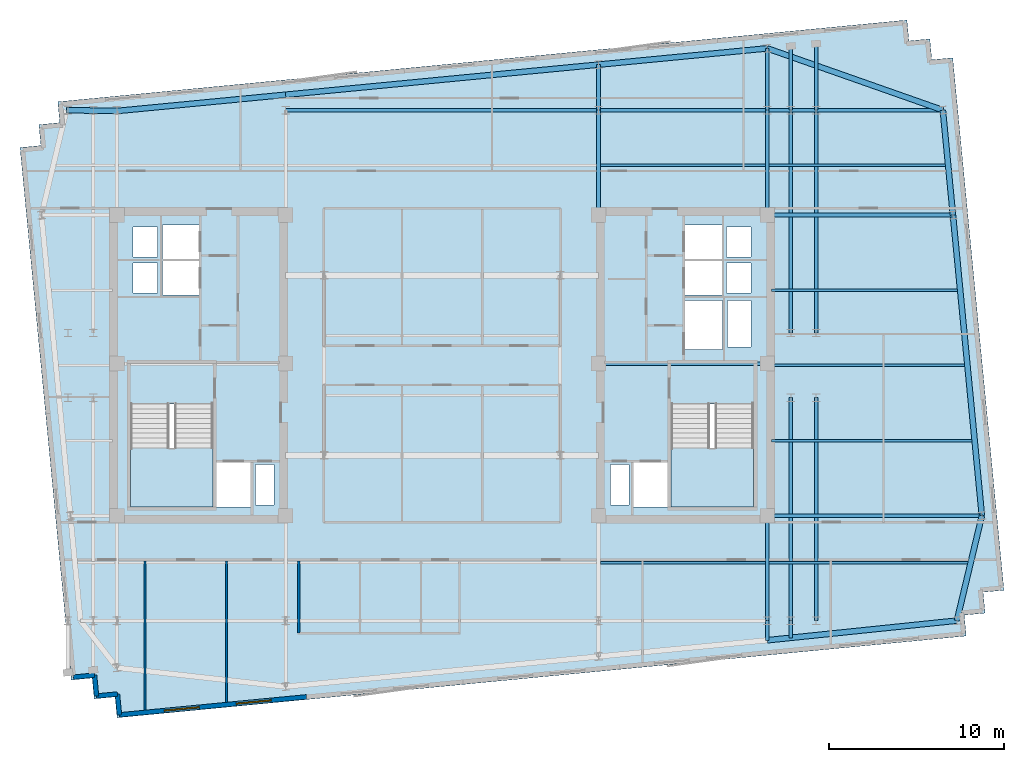
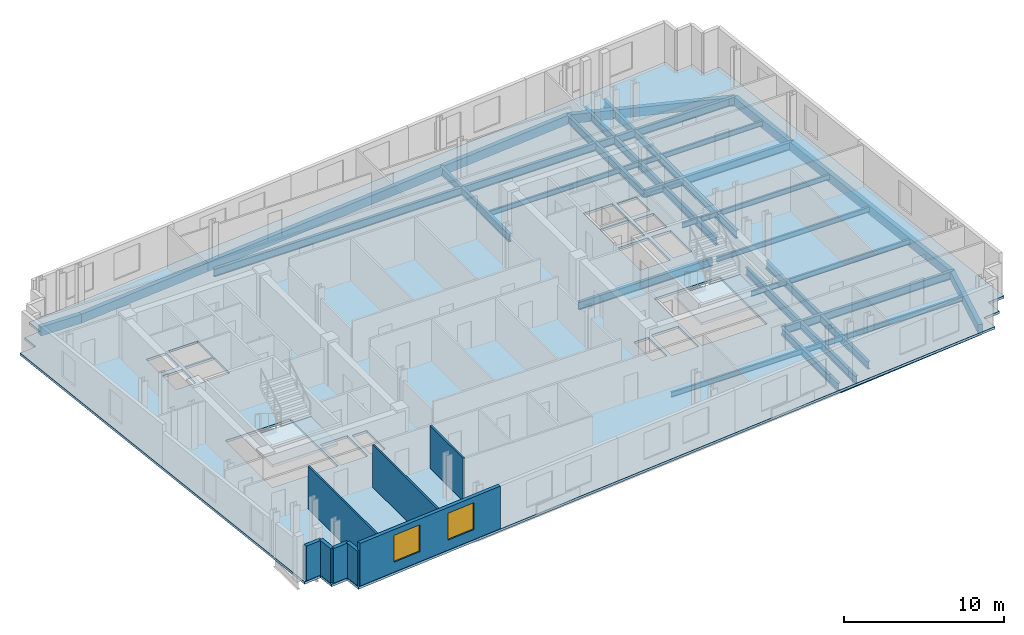
# One storey, part 2 of 9: 35 beams, 8 walls, 3 slabs, 2 windows, 2 openings, 2 elements without a shape of their own.
"""IFC4 building model written with IfcOpenShell, lengths in metres."""

from ifc_helpers import new_model, si_unit, direction, frame, frame_2d, origin, origin_2d, place, context, subcontext, project, spatial, polyline, rectangle, i_section, outline, extrude, material, layer, layer_set, material_profile, profile_set, type_object, element, fill, aggregate, save


model = new_model("IFC4")

# Units and contexts
model_context = context("Model", 3, precision=1e-05, world=origin(), true_north=direction((0.0, 1.0)))
body_context = subcontext(model_context, "Body", "Model", "MODEL_VIEW")
ifc_project = project(units=[si_unit("LENGTHUNIT", "METRE"), si_unit("AREAUNIT", "SQUARE_METRE"), si_unit("VOLUMEUNIT", "CUBIC_METRE"), si_unit("PLANEANGLEUNIT", "RADIAN"), si_unit("MASSUNIT", "GRAM", prefix="KILO")], contexts=[model_context])

# Site, building, storey
site_placement = place(None, origin())
site = spatial("IfcSite", under=ifc_project, at=site_placement, CompositionType="ELEMENT")
building_placement = place(site_placement, origin())
building = spatial("IfcBuilding", under=site, at=building_placement, Name="Velakula Bourse", CompositionType="ELEMENT")
storey_placement = place(building_placement, frame((0.0, 0.0, 272.39990234375)))
storey = spatial("IfcBuildingStorey", under=building, at=storey_placement, Name="L74", CompositionType="ELEMENT", Elevation=272.39990234375)

# Beams
ifc_material_1 = material(Name="Steel IS 2062 Grade 350 (E350)", Category="steel")
ifc_material_profile_1 = material_profile(ifc_material_1, i_section(OverallWidth=0.2099609375, OverallDepth=0.60009765625, WebThickness=0.011962890625, FlangeThickness=0.020751953125, at=origin_2d()), Name="Steel IS 2062 Grade 350 (E350)")
ifc_profile_set_1 = profile_set([ifc_material_profile_1], Name="Steel IS 2062 Grade 350 (E350)")
beam_type_1 = type_object("IfcBeamType", Name="BM-GRD-600L", PredefinedType="BEAM", material=ifc_profile_set_1)
beam_1_placement = place(storey_placement, frame((8.949951171875, 0.10009765625, -0.47998046875), z_axis=(1.0, 0.0, 0.0), x_axis=(0.0, 1.0, 0.0)))
element("IfcBeam", 1, at=beam_1_placement, inside=storey, type_object=beam_type_1, Name="L74 Primary Backbone Girder CRE-M", PredefinedType="BEAM", context=body_context, shape_type="SweptSolid", body=[
    extrude(i_section(OverallWidth=0.2099609375, OverallDepth=0.60009765625, WebThickness=0.011962890625, FlangeThickness=0.020751953125, at=origin_2d()), origin(), (0.0, 0.0, 1.0), 9.650146484375),
])
for number, where, z_axis, x_axis, name in (
    (2, (8.949951171875, 8.60009765625, -0.47998046875), (0.0, 1.0, 0.0), (-1.0, 0.0, 0.0), "L74 Fulcrum Grid Girder FLC-ECN"),
    (3, (18.60009765625, -14.60009765625, -0.47998046875), (0.0, 1.0, 0.0), (-1.0, 0.0, 0.0), "L74 Fulcrum Grid Girder FLC-ES"),
    (4, (18.60009765625, 8.60009765625, -0.47998046875), (0.0, 1.0, 0.0), (-1.0, 0.0, 0.0), "L74 Fulcrum Grid Girder FLC-EN"),
):
    element("IfcBeam", number, at=place(storey_placement, frame(where, z_axis=z_axis, x_axis=x_axis)), inside=storey, type_object=beam_type_1, Name=name, PredefinedType="BEAM", context=body_context, shape_type="SweptSolid", body=[
        extrude(i_section(OverallWidth=0.2099609375, OverallDepth=0.60009765625, WebThickness=0.011962890625, FlangeThickness=0.020751953125, at=origin_2d()), origin(), (0.0, 0.0, 1.0), 6.0),
    ])
beam_2_placement = place(storey_placement, frame((-8.949951171875, 14.60009765625, -0.47998046875), z_axis=(1.0, 0.0, 0.0), x_axis=(0.0, 1.0, 0.0)))
element("IfcBeam", 5, at=beam_2_placement, inside=storey, type_object=beam_type_1, Name="L74 Fulcrum Grid Girder FLC-N2", PredefinedType="BEAM", context=body_context, shape_type="SweptSolid", body=[
    extrude(i_section(OverallWidth=0.2099609375, OverallDepth=0.60009765625, WebThickness=0.011962890625, FlangeThickness=0.020751953125, at=origin_2d()), origin(), (0.0, 0.0, 1.0), 17.89990234375),
])
beam_3_placement = place(storey_placement, frame((8.949951171875, 14.60009765625, -0.47998046875), z_axis=(1.0, 0.0, 0.0), x_axis=(0.0, 1.0, 0.0)))
element("IfcBeam", 6, at=beam_3_placement, inside=storey, type_object=beam_type_1, Name="L74 Fulcrum Grid Girder FLC-N3", PredefinedType="BEAM", context=body_context, shape_type="SweptSolid", body=[
    extrude(i_section(OverallWidth=0.2099609375, OverallDepth=0.60009765625, WebThickness=0.011962890625, FlangeThickness=0.020751953125, at=origin_2d()), origin(), (0.0, 0.0, 1.0), 9.650146484375),
])
for number, where, z_axis, x_axis, name in (
    (7, (19.949951171875, -14.60009765625, -0.47998046875), (0.0, 1.0, 0.0), (-1.0, 0.0, 0.0), "L74 Fulcrum Grid Girder FLC-PSE1"),
    (8, (19.949951171875, 1.85009765625, -0.47998046875), (0.0, 1.0, 0.0), (-1.0, 0.0, 0.0), "L74 Fulcrum Grid Girder FLC-PNE1"),
    (9, (21.39990234375, -14.60009765625, -0.47998046875), (0.0, 1.0, 0.0), (-1.0, 0.0, 0.0), "L74 Fulcrum Grid Girder FLC-PSE2"),
    (10, (21.39990234375, 1.85009765625, -0.47998046875), (0.0, 1.0, 0.0), (-1.0, 0.0, 0.0), "L74 Fulcrum Grid Girder FLC-PNE2"),
):
    element("IfcBeam", number, at=place(storey_placement, frame(where, z_axis=z_axis, x_axis=x_axis)), inside=storey, type_object=beam_type_1, Name=name, PredefinedType="BEAM", context=body_context, shape_type="SweptSolid", body=[
        extrude(i_section(OverallWidth=0.2099609375, OverallDepth=0.60009765625, WebThickness=0.011962890625, FlangeThickness=0.020751953125, at=origin_2d()), origin(), (0.0, 0.0, 1.0), 12.75),
    ])
beam_4_placement = place(storey_placement, frame((18.60009765625, -14.60009765625, -0.47998046875), z_axis=(0.0, -1.0, 0.0), x_axis=(1.0, 0.0, 0.0)))
element("IfcBeam", 11, at=beam_4_placement, inside=storey, type_object=beam_type_1, Name="L74 Perimeter Tie Girder S4", PredefinedType="BEAM", context=body_context, shape_type="SweptSolid", body=[
    extrude(i_section(OverallWidth=0.2099609375, OverallDepth=0.60009765625, WebThickness=0.011962890625, FlangeThickness=0.020751953125, at=origin_2d()), origin(), (0.0, 0.0, 1.0), 1.1220703125),
])
beam_5_placement = place(storey_placement, frame((8.949951171875, 14.60009765625, -0.47998046875), z_axis=(0.0, 1.0, 0.0), x_axis=(-1.0, 0.0, 0.0)))
element("IfcBeam", 12, at=beam_5_placement, inside=storey, type_object=beam_type_1, Name="L74 Perimeter Tie Girder N3", PredefinedType="BEAM", context=body_context, shape_type="SweptSolid", body=[
    extrude(i_section(OverallWidth=0.2099609375, OverallDepth=0.60009765625, WebThickness=0.011962890625, FlangeThickness=0.020751953125, at=origin_2d()), origin(), (0.0, 0.0, 1.0), 2.6044921875),
])
beam_6_placement = place(storey_placement, frame((18.60009765625, 14.60009765625, -0.47998046875), z_axis=(0.0, 1.0, 0.0), x_axis=(-1.0, 0.0, 0.0)))
element("IfcBeam", 13, at=beam_6_placement, inside=storey, type_object=beam_type_1, Name="L74 Perimeter Tie Girder N4", PredefinedType="BEAM", context=body_context, shape_type="SweptSolid", body=[
    extrude(i_section(OverallWidth=0.2099609375, OverallDepth=0.60009765625, WebThickness=0.011962890625, FlangeThickness=0.020751953125, at=origin_2d()), origin(), (0.0, 0.0, 1.0), 3.53369140625),
])
beam_7_placement = place(storey_placement, frame((18.60009765625, -8.60009765625, -0.47998046875), z_axis=(1.0, 0.0, 0.0), x_axis=(0.0, 1.0, 0.0)))
element("IfcBeam", 14, at=beam_7_placement, inside=storey, type_object=beam_type_1, Name="L74 Perimeter Tie Girder E2", PredefinedType="BEAM", context=body_context, shape_type="SweptSolid", body=[
    extrude(i_section(OverallWidth=0.2099609375, OverallDepth=0.60009765625, WebThickness=0.011962890625, FlangeThickness=0.020751953125, at=origin_2d()), origin(), (0.0, 0.0, 1.0), 12.27880859375),
])
beam_8_placement = place(storey_placement, frame((18.60009765625, 8.60009765625, -0.47998046875), z_axis=(1.0, 0.0, 0.0), x_axis=(0.0, 1.0, 0.0)))
element("IfcBeam", 15, at=beam_8_placement, inside=storey, type_object=beam_type_1, Name="L74 Perimeter Tie Girder E3", PredefinedType="BEAM", context=body_context, shape_type="SweptSolid", body=[
    extrude(i_section(OverallWidth=0.2099609375, OverallDepth=0.60009765625, WebThickness=0.011962890625, FlangeThickness=0.020751953125, at=origin_2d()), origin(), (0.0, 0.0, 1.0), 10.62255859375),
])
beam_9_placement = place(storey_placement, frame((18.60009765625, 14.60009765625, -0.47998046875), z_axis=(1.0, 0.0, 0.0), x_axis=(0.0, 1.0, 0.0)))
element("IfcBeam", 16, at=beam_9_placement, inside=storey, type_object=beam_type_1, Name="L74 Perimeter Tie Girder E4", PredefinedType="BEAM", context=body_context, shape_type="SweptSolid", body=[
    extrude(i_section(OverallWidth=0.2099609375, OverallDepth=0.60009765625, WebThickness=0.011962890625, FlangeThickness=0.020751953125, at=origin_2d()), origin(), (0.0, 0.0, 1.0), 10.044921875),
])
beam_10_placement = place(storey_placement, frame((19.949951171875, -14.60009765625, -0.47998046875), z_axis=(0.0, -1.0, 0.0), x_axis=(1.0, 0.0, 0.0)))
element("IfcBeam", 17, at=beam_10_placement, inside=storey, type_object=beam_type_1, Name="L74 Perimeter Tie Girder P03", PredefinedType="BEAM", context=body_context, shape_type="SweptSolid", body=[
    extrude(i_section(OverallWidth=0.2099609375, OverallDepth=0.60009765625, WebThickness=0.011962890625, FlangeThickness=0.020751953125, at=origin_2d()), origin(), (0.0, 0.0, 1.0), 0.991943359375),
])
beam_11_placement = place(storey_placement, frame((19.949951171875, 14.60009765625, -0.47998046875), z_axis=(0.0, 1.0, 0.0), x_axis=(-1.0, 0.0, 0.0)))
element("IfcBeam", 18, at=beam_11_placement, inside=storey, type_object=beam_type_1, Name="L74 Perimeter Tie Girder P07", PredefinedType="BEAM", context=body_context, shape_type="SweptSolid", body=[
    extrude(i_section(OverallWidth=0.2099609375, OverallDepth=0.60009765625, WebThickness=0.011962890625, FlangeThickness=0.020751953125, at=origin_2d()), origin(), (0.0, 0.0, 1.0), 3.66357421875),
])
beam_12_placement = place(storey_placement, frame((21.39990234375, 14.60009765625, -0.47998046875), z_axis=(0.0, 1.0, 0.0), x_axis=(-1.0, 0.0, 0.0)))
element("IfcBeam", 19, at=beam_12_placement, inside=storey, type_object=beam_type_1, Name="L74 Perimeter Tie Girder P08", PredefinedType="BEAM", context=body_context, shape_type="SweptSolid", body=[
    extrude(i_section(OverallWidth=0.2099609375, OverallDepth=0.60009765625, WebThickness=0.011962890625, FlangeThickness=0.020751953125, at=origin_2d()), origin(), (0.0, 0.0, 1.0), 3.80322265625),
])
ifc_material_profile_2 = material_profile(ifc_material_1, i_section(OverallWidth=0.139892578125, OverallDepth=0.39990234375, WebThickness=0.0087890625, FlangeThickness=0.01611328125, at=origin_2d()), Name="Steel IS 2062 Grade 350 (E350)")
ifc_profile_set_2 = profile_set([ifc_material_profile_2], Name="Steel IS 2062 Grade 350 (E350)")
beam_type_2 = type_object("IfcBeamType", Name="JST-TWR-400", PredefinedType="JOIST", material=ifc_profile_set_2)
beam_13_placement = place(storey_placement, frame((9.054931640625, -11.300048828125, -0.3798828125), z_axis=(1.0, 0.0, 0.0), x_axis=(0.0, 1.0, 0.0)))
element("IfcBeam", 20, at=beam_13_placement, inside=storey, type_object=beam_type_2, Name="L74 Trading Floor Composite Joist 06", PredefinedType="JOIST", context=body_context, shape_type="SweptSolid", body=[
    extrude(i_section(OverallWidth=0.139892578125, OverallDepth=0.39990234375, WebThickness=0.0087890625, FlangeThickness=0.01611328125, at=origin_2d()), origin(), (0.0, 0.0, 1.0), 9.440185546875),
])
beam_14_placement = place(storey_placement, frame((18.705078125, -11.300048828125, -0.3798828125), z_axis=(1.0, 0.0, 0.0), x_axis=(0.0, 1.0, 0.0)))
element("IfcBeam", 21, at=beam_14_placement, inside=storey, type_object=beam_type_2, Name="L74 Trading Floor Composite Joist 07", PredefinedType="JOIST", context=body_context, shape_type="SweptSolid", body=[
    extrude(i_section(OverallWidth=0.139892578125, OverallDepth=0.39990234375, WebThickness=0.0087890625, FlangeThickness=0.01611328125, at=origin_2d()), origin(), (0.0, 0.0, 1.0), 11.364990234375),
])
beam_15_placement = place(storey_placement, frame((9.054931640625, 11.449951171875, -0.3798828125), z_axis=(1.0, 0.0, 0.0), x_axis=(0.0, 1.0, 0.0)))
element("IfcBeam", 22, at=beam_15_placement, inside=storey, type_object=beam_type_2, Name="L74 Trading Floor Composite Joist 11", PredefinedType="JOIST", context=body_context, shape_type="SweptSolid", body=[
    extrude(i_section(OverallWidth=0.139892578125, OverallDepth=0.39990234375, WebThickness=0.0087890625, FlangeThickness=0.01611328125, at=origin_2d()), origin(), (0.0, 0.0, 1.0), 9.440185546875),
])
beam_16_placement = place(storey_placement, frame((18.705078125, 11.449951171875, -0.3798828125), z_axis=(1.0, 0.0, 0.0), x_axis=(0.0, 1.0, 0.0)))
element("IfcBeam", 23, at=beam_16_placement, inside=storey, type_object=beam_type_2, Name="L74 Trading Floor Composite Joist 12", PredefinedType="JOIST", context=body_context, shape_type="SweptSolid", body=[
    extrude(i_section(OverallWidth=0.139892578125, OverallDepth=0.39990234375, WebThickness=0.0087890625, FlangeThickness=0.01611328125, at=origin_2d()), origin(), (0.0, 0.0, 1.0), 10.08251953125),
])
beam_17_placement = place(storey_placement, frame((18.85009765625, -4.300048828125, -0.3798828125), z_axis=(1.0, 0.0, 0.0), x_axis=(0.0, 1.0, 0.0)))
element("IfcBeam", 24, at=beam_17_placement, inside=storey, type_object=beam_type_2, Name="L74 Trading Floor Composite Joist 17", PredefinedType="JOIST", context=body_context, shape_type="SweptSolid", body=[
    extrude(i_section(OverallWidth=0.139892578125, OverallDepth=0.39990234375, WebThickness=0.0087890625, FlangeThickness=0.01611328125, at=origin_2d()), origin(), (0.0, 0.0, 1.0), 11.453857421875),
])
beam_18_placement = place(storey_placement, frame((18.85009765625, 0.0, -0.3798828125), z_axis=(1.0, 0.0, 0.0), x_axis=(0.0, 1.0, 0.0)))
element("IfcBeam", 25, at=beam_18_placement, inside=storey, type_object=beam_type_2, Name="L74 Trading Floor Composite Joist 19", PredefinedType="JOIST", context=body_context, shape_type="SweptSolid", body=[
    extrude(i_section(OverallWidth=0.139892578125, OverallDepth=0.39990234375, WebThickness=0.0087890625, FlangeThickness=0.01611328125, at=origin_2d()), origin(), (0.0, 0.0, 1.0), 11.039794921875),
])
beam_19_placement = place(storey_placement, frame((18.85009765625, 4.300048828125, -0.3798828125), z_axis=(1.0, 0.0, 0.0), x_axis=(0.0, 1.0, 0.0)))
element("IfcBeam", 26, at=beam_19_placement, inside=storey, type_object=beam_type_2, Name="L74 Trading Floor Composite Joist 21", PredefinedType="JOIST", context=body_context, shape_type="SweptSolid", body=[
    extrude(i_section(OverallWidth=0.139892578125, OverallDepth=0.39990234375, WebThickness=0.0087890625, FlangeThickness=0.01611328125, at=origin_2d()), origin(), (0.0, 0.0, 1.0), 10.6259765625),
])
ifc_material_2 = material(Name="Precast concrete M45 (fck 45 MPa)", Category="concrete")
ifc_material_profile_3 = material_profile(ifc_material_2, rectangle(XDim=0.320068359375, YDim=0.679931640625, at=origin_2d()), Name="Precast concrete M45 (fck 45 MPa)")
ifc_profile_set_3 = profile_set([ifc_material_profile_3], Name="Precast concrete M45 (fck 45 MPa)")
beam_type_3 = type_object("IfcBeamType", Name="SPN-BRICK-680", PredefinedType="SPANDREL", material=ifc_profile_set_3)
beam_20_placement = place(storey_placement, frame((-18.60009765625, 14.5517578125, -0.52001953125), z_axis=(0.99539623971, 0.095845323155, 0.0), x_axis=(-0.095845323155, 0.99539623971, 0.0)))
element("IfcBeam", 27, at=beam_20_placement, inside=storey, type_object=beam_type_3, Name="L74 Brick-Faced Precast Spandrel N1-N2", PredefinedType="SPANDREL", context=body_context, shape_type="SweptSolid", body=[
    extrude(rectangle(XDim=0.320068359375, YDim=0.679931640625, at=origin_2d()), origin(), (0.0, 0.0, 1.0), 9.69482421875),
])
beam_21_placement = place(storey_placement, frame((-8.949951171875, 15.48095703125, -0.52001953125), z_axis=(0.995395836254, 0.095849513134, 0.0), x_axis=(-0.095849513134, 0.995395836254, 0.0)))
element("IfcBeam", 28, at=beam_21_placement, inside=storey, type_object=beam_type_3, Name="L74 Brick-Faced Precast Spandrel N2-N3", PredefinedType="SPANDREL", context=body_context, shape_type="SweptSolid", body=[
    extrude(rectangle(XDim=0.320068359375, YDim=0.679931640625, at=origin_2d()), origin(), (0.0, 0.0, 1.0), 17.982666015625),
])
beam_22_placement = place(storey_placement, frame((8.949951171875, 17.20458984375, -0.52001953125), z_axis=(0.99539623971, 0.095845323155, 0.0), x_axis=(-0.095845323155, 0.99539623971, 0.0)))
element("IfcBeam", 29, at=beam_22_placement, inside=storey, type_object=beam_type_3, Name="L74 Brick-Faced Precast Spandrel N3-N4", PredefinedType="SPANDREL", context=body_context, shape_type="SweptSolid", body=[
    extrude(rectangle(XDim=0.320068359375, YDim=0.679931640625, at=origin_2d()), origin(), (0.0, 0.0, 1.0), 9.69482421875),
])
beam_23_placement = place(storey_placement, frame((29.447265625, -14.60009765625, -0.52001953125), z_axis=(0.232091371601, 0.972693988482, 0.0), x_axis=(-0.972693988482, 0.232091371601, 0.0)))
element("IfcBeam", 30, at=beam_23_placement, inside=storey, type_object=beam_type_3, Name="L74 Brick-Faced Precast Spandrel E1-E2", PredefinedType="SPANDREL", context=body_context, shape_type="SweptSolid", body=[
    extrude(rectangle(XDim=0.320068359375, YDim=0.679931640625, at=origin_2d()), origin(), (0.0, 0.0, 1.0), 6.16845703125),
])
beam_24_placement = place(storey_placement, frame((30.87890625, -8.60009765625, -0.52001953125), z_axis=(-0.095849167925, 0.995395869495, 0.0), x_axis=(-0.995395869495, -0.095849167925, 0.0)))
element("IfcBeam", 31, at=beam_24_placement, inside=storey, type_object=beam_type_3, Name="L74 Brick-Faced Precast Spandrel E2-E3", PredefinedType="SPANDREL", context=body_context, shape_type="SweptSolid", body=[
    extrude(rectangle(XDim=0.320068359375, YDim=0.679931640625, at=origin_2d()), origin(), (0.0, 0.0, 1.0), 17.27978515625),
])
beam_25_placement = place(storey_placement, frame((29.22265625, 8.60009765625, -0.52001953125), z_axis=(-0.095829714309, 0.995397742541, 0.0), x_axis=(-0.995397742541, -0.095829714309, 0.0)))
element("IfcBeam", 32, at=beam_25_placement, inside=storey, type_object=beam_type_3, Name="L74 Brick-Faced Precast Spandrel E3-E4", PredefinedType="SPANDREL", context=body_context, shape_type="SweptSolid", body=[
    extrude(rectangle(XDim=0.320068359375, YDim=0.679931640625, at=origin_2d()), origin(), (0.0, 0.0, 1.0), 6.02783203125),
])
beam_26_placement = place(storey_placement, frame((18.60009765625, -15.72216796875, -0.52001953125), z_axis=(0.994692267912, 0.102894568159, 0.0), x_axis=(-0.102894568159, 0.994692267912, 0.0)))
element("IfcBeam", 33, at=beam_26_placement, inside=storey, type_object=beam_type_3, Name="L74 Brick-Faced Precast Spandrel S4-E1", PredefinedType="SPANDREL", context=body_context, shape_type="SweptSolid", body=[
    extrude(rectangle(XDim=0.320068359375, YDim=0.679931640625, at=origin_2d()), origin(), (0.0, 0.0, 1.0), 10.905029296875),
])
beam_27_placement = place(storey_placement, frame((28.64501953125, 14.60009765625, -0.52001953125), z_axis=(-0.943331000058, 0.331853317491, 0.0), x_axis=(-0.331853317491, -0.943331000058, 0.0)))
element("IfcBeam", 34, at=beam_27_placement, inside=storey, type_object=beam_type_3, Name="L74 Brick-Faced Precast Spandrel E4-N4", PredefinedType="SPANDREL", context=body_context, shape_type="SweptSolid", body=[
    extrude(rectangle(XDim=0.320068359375, YDim=0.679931640625, at=origin_2d()), origin(), (0.0, 0.0, 1.0), 10.6484375),
])
beam_28_placement = place(storey_placement, frame((-18.60009765625, 14.5517578125, -0.52001953125), z_axis=(-0.999859727013, 0.016748919285, 0.0), x_axis=(-0.016748919285, -0.999859727013, 0.0)))
element("IfcBeam", 35, at=beam_28_placement, inside=storey, type_object=beam_type_3, Name="L74 Brick-Faced Precast Spandrel N1-W4", PredefinedType="SPANDREL", context=body_context, shape_type="SweptSolid", body=[
    extrude(rectangle(XDim=0.320068359375, YDim=0.679931640625, at=origin_2d()), origin(), (0.0, 0.0, 1.0), 2.88623046875),
])

# Stair, slab
ifc_material_3 = material(Name="Concrete M45 (fck 45 MPa)", Category="concrete")
stair_type = type_object("IfcStairType", Name="STR-DOG-390", PredefinedType="HALF_TURN_STAIR", material=ifc_material_3)
stair_1_placement = place(storey_placement, origin())
stair_1 = element("IfcStair", 36, at=stair_1_placement, inside=storey, type_object=stair_type, Name="L74 West Core Exit Stair ST-W1", PredefinedType="HALF_TURN_STAIR")
ifc_layer_1 = layer(ifc_material_3, 0.199951171875, Name="Concrete M45 (fck 45 MPa)", Category="concrete")
ifc_layer_set_1 = layer_set([ifc_layer_1], Name="Concrete M45 (fck 45 MPa)")
slab_type_1 = type_object("IfcSlabType", Name="SLB-STAIR-LND-200", PredefinedType="LANDING", material=ifc_layer_set_1)
slab_1_placement = place(storey_placement, frame((0.0, 0.0, 1.525146484375)))
slab_1 = element("IfcSlab", 37, at=slab_1_placement, type_object=slab_type_1, Name="ST-W1 landing 1", PredefinedType="LANDING", context=body_context, shape_type="SweptSolid", body=[
    extrude(outline(polyline([(-17.820068359375, -4.719970703125), (-17.820068359375, -8.10009765625), (-13.10009765625, -8.10009765625), (-13.10009765625, -4.719970703125), (-17.820068359375, -4.719970703125)])), origin(), (0.0, 0.0, 1.0), 0.199951171875),
])
aggregate(stair_1, [slab_1])

stair_2_placement = place(storey_placement, origin())
stair_2 = element("IfcStair", 38, at=stair_2_placement, inside=storey, type_object=stair_type, Name="L74 East Core Exit Stair ST-E1", PredefinedType="HALF_TURN_STAIR")
slab_2_placement = place(storey_placement, frame((0.0, 0.0, 1.525146484375)))
slab_2 = element("IfcSlab", 39, at=slab_2_placement, type_object=slab_type_1, Name="ST-E1 landing 1", PredefinedType="LANDING", context=body_context, shape_type="SweptSolid", body=[
    extrude(outline(polyline([(13.10009765625, -4.719970703125), (13.10009765625, -8.10009765625), (17.820068359375, -8.10009765625), (17.820068359375, -4.719970703125), (13.10009765625, -4.719970703125)])), origin(), (0.0, 0.0, 1.0), 0.199951171875),
])
aggregate(stair_2, [slab_2])

# Slab
ifc_material_4 = material(Name="Concrete M50 (fck 50 MPa)", Category="concrete")
ifc_layer_2 = layer(ifc_material_4, 0.179931640625, Name="Concrete M50 (fck 50 MPa)", Category="concrete")
ifc_layer_set_2 = layer_set([ifc_layer_2], Name="Concrete M50 (fck 50 MPa)")
slab_type_2 = type_object("IfcSlabType", Name="SLB-TWR-180", PredefinedType="FLOOR", material=ifc_layer_set_2)
slab_3_placement = place(storey_placement, frame((0.0, 0.0, -0.179931640625)))
element("IfcSlab", 40, at=slab_3_placement, inside=storey, type_object=slab_type_2, Name="L74 Suspended Structural Floor Slab", PredefinedType="FLOOR", context=body_context, shape_type="SweptSolid", body=[
    extrude(outline(polyline([(-18.59130859375, -20.1572265625), (29.984130859375, -15.47998046875), (29.869140625, -14.285400390625), (31.0634765625, -14.17041015625), (30.948486328125, -12.975830078125), (32.14306640625, -12.86083984375), (29.210205078125, 17.59814453125), (28.015625, 17.483154296875), (27.900634765625, 18.677734375), (26.706298828125, 18.562744140625), (26.59130859375, 19.757080078125), (-21.984130859375, 15.079833984375), (-21.869140625, 13.885498046875), (-23.0634765625, 13.7705078125), (-22.948486328125, 12.575927734375), (-24.14306640625, 12.4609375), (-21.210205078125, -17.998291015625), (-20.015625, -17.88330078125), (-19.900634765625, -19.07763671875), (-18.706298828125, -18.962646484375), (-18.59130859375, -20.1572265625)]), holes=[polyline([(-17.820068359375, -8.10009765625), (-13.10009765625, -8.10009765625), (-13.10009765625, -2.199951171875), (-17.820068359375, -2.199951171875), (-17.820068359375, -8.10009765625)]), polyline([(13.10009765625, -8.10009765625), (17.820068359375, -8.10009765625), (17.820068359375, -2.199951171875), (13.10009765625, -2.199951171875), (13.10009765625, -8.10009765625)]), polyline([(-12.89990234375, -8.10009765625), (-10.949951171875, -8.10009765625), (-10.949951171875, -5.550048828125), (-12.89990234375, -5.550048828125), (-12.89990234375, -8.10009765625)]), polyline([(10.949951171875, -8.10009765625), (12.89990234375, -8.10009765625), (12.89990234375, -5.550048828125), (10.949951171875, -5.550048828125), (10.949951171875, -8.10009765625)]), polyline([(13.89990234375, 0.919921875), (16.050048828125, 0.919921875), (16.050048828125, 3.719970703125), (13.89990234375, 3.719970703125), (13.89990234375, 0.919921875)]), polyline([(-10.679931640625, -7.97998046875), (-9.6201171875, -7.97998046875), (-9.6201171875, -5.669921875), (-10.679931640625, -5.669921875), (-10.679931640625, -7.97998046875)]), polyline([(-17.679931640625, 4.139892578125), (-16.27001953125, 4.139892578125), (-16.27001953125, 5.85009765625), (-17.679931640625, 5.85009765625), (-17.679931640625, 4.139892578125)]), polyline([(-17.679931640625, 6.2099609375), (-16.27001953125, 6.2099609375), (-16.27001953125, 7.919921875), (-17.679931640625, 7.919921875), (-17.679931640625, 6.2099609375)]), polyline([(9.6201171875, -7.97998046875), (10.679931640625, -7.97998046875), (10.679931640625, -5.669921875), (9.6201171875, -5.669921875), (9.6201171875, -7.97998046875)]), polyline([(16.27001953125, 4.139892578125), (17.679931640625, 4.139892578125), (17.679931640625, 5.85009765625), (16.27001953125, 5.85009765625), (16.27001953125, 4.139892578125)]), polyline([(16.27001953125, 6.2099609375), (17.679931640625, 6.2099609375), (17.679931640625, 7.919921875), (16.27001953125, 7.919921875), (16.27001953125, 6.2099609375)]), polyline([(16.320068359375, 1.0400390625), (17.679931640625, 1.0400390625), (17.679931640625, 3.699951171875), (16.320068359375, 3.699951171875), (16.320068359375, 1.0400390625)]), polyline([(-16.0, 4.02001953125), (-13.89990234375, 4.02001953125), (-13.89990234375, 5.969970703125), (-16.0, 5.969970703125), (-16.0, 4.02001953125)]), polyline([(-16.0, 6.090087890625), (-13.89990234375, 6.090087890625), (-13.89990234375, 8.0400390625), (-16.0, 8.0400390625), (-16.0, 6.090087890625)]), polyline([(13.89990234375, 4.02001953125), (16.0, 4.02001953125), (16.0, 5.969970703125), (13.89990234375, 5.969970703125), (13.89990234375, 4.02001953125)]), polyline([(13.89990234375, 6.090087890625), (16.0, 6.090087890625), (16.0, 8.0400390625), (13.89990234375, 8.0400390625), (13.89990234375, 6.090087890625)])]), origin(), (0.0, 0.0, 1.0), 0.179931640625),
])

# Wall, openings, windows
ifc_material_5 = material(Name="Buff kilned clay facing brick masonry", Category="masonry")
ifc_layer_3 = layer(ifc_material_5, 0.260009765625, Name="Buff kilned clay facing brick masonry", Category="masonry")
ifc_layer_set_3 = layer_set([ifc_layer_3], Name="Buff kilned clay facing brick masonry")
wall_type_1 = type_object("IfcWallType", Name="WL-EXT-BRK-260", PredefinedType="STANDARD", material=ifc_layer_set_3)
wall_1_placement = place(storey_placement, frame((-7.755859375, -18.963134765625, 0.0), z_axis=(0.0, 0.0, 1.0), x_axis=(-0.995396745868, -0.095840066339, 0.0)))
wall_1 = element("IfcWall", 41, at=wall_1_placement, inside=storey, type_object=wall_type_1, Name="L74 S Brick Spandrel Wall B1", PredefinedType="STANDARD", context=body_context, shape_type="SweptSolid", body=[
    extrude(rectangle(XDim=10.75, YDim=0.260009765625, at=frame_2d((5.375, 0.0))), origin(), (0.0, 0.0, 1.0), 3.25),
])
opening_1_placement = place(wall_1_placement, frame((2.033203125, 0.0, 0.760009765625)))
opening_1 = element("IfcOpeningElement", 42, at=opening_1_placement, cuts=wall_1, Name="Opening W-05", PredefinedType="OPENING", context=body_context, shape_type="SweptSolid", body=[
    extrude(rectangle(XDim=2.0, YDim=2.050048828125, at=frame_2d((1.0, 1.02490234375))), frame((0.0, 0.139892578125, 0.0), z_axis=(0.0, -1.0, 0.0), x_axis=(1.0, 0.0, 0.0)), (0.0, 0.0, 1.0), 0.280029296875),
])
opening_2_placement = place(wall_1_placement, frame((6.166748046875, 0.0, 0.760009765625)))
opening_2 = element("IfcOpeningElement", 43, at=opening_2_placement, cuts=wall_1, Name="Opening W-05", PredefinedType="OPENING", context=body_context, shape_type="SweptSolid", body=[
    extrude(rectangle(XDim=2.0, YDim=2.050048828125, at=frame_2d((1.0, 1.02490234375))), frame((0.0, 0.139892578125, 0.0), z_axis=(0.0, -1.0, 0.0), x_axis=(1.0, 0.0, 0.0)), (0.0, 0.0, 1.0), 0.280029296875),
])
ifc_material_6 = material(Name="Double-glazed solar-control Low-E glass", Category="glass")
window_type = type_object("IfcWindowType", Name="WIN-TWR-2000x2200", PartitioningType="DOUBLE_PANEL_VERTICAL", PredefinedType="WINDOW", material=ifc_material_6)
window_1_placement = place(opening_1_placement, origin())
window_1 = element("IfcWindow", 44, at=window_1_placement, inside=storey, type_object=window_type, Name="L74 Deep-Set Recessed Window 1", OverallHeight=2.050048828125, OverallWidth=2.0, PartitioningType="DOUBLE_PANEL_VERTICAL", PredefinedType="WINDOW", context=body_context, shape_type="SweptSolid", body=[
    extrude(rectangle(XDim=2.0, YDim=2.050048828125, at=frame_2d((1.0, 1.02490234375))), frame((0.0, 0.030029296875, 0.0), z_axis=(0.0, -1.0, 0.0), x_axis=(1.0, 0.0, 0.0)), (0.0, 0.0, 1.0), 0.06005859375),
])
fill(opening_1, window_1)
window_2_placement = place(opening_2_placement, origin())
window_2 = element("IfcWindow", 45, at=window_2_placement, inside=storey, type_object=window_type, Name="L74 Deep-Set Recessed Window 2", OverallHeight=2.050048828125, OverallWidth=2.0, PartitioningType="DOUBLE_PANEL_VERTICAL", PredefinedType="WINDOW", context=body_context, shape_type="SweptSolid", body=[
    extrude(rectangle(XDim=2.0, YDim=2.050048828125, at=frame_2d((1.0, 1.02490234375))), frame((0.0, 0.030029296875, 0.0), z_axis=(0.0, -1.0, 0.0), x_axis=(1.0, 0.0, 0.0)), (0.0, 0.0, 1.0), 0.06005859375),
])
fill(opening_2, window_2)

# Walls
wall_2_placement = place(storey_placement, frame((-21.0751953125, -17.83447265625, 0.0), z_axis=(0.0, 0.0, 1.0), x_axis=(0.995397091755, 0.095836473879, 0.0)))
element("IfcWall", 46, at=wall_2_placement, inside=storey, type_object=wall_type_1, Name="L74 Serrated Corner Brick Wall SW-1", PredefinedType="STANDARD", context=body_context, shape_type="SweptSolid", body=[
    extrude(rectangle(XDim=1.199951171875, YDim=0.260009765625, at=frame_2d((0.60009765625, 0.0))), origin(), (0.0, 0.0, 1.0), 2.64501953125),
])
for number, where, z_axis, x_axis, name in (
    (47, (-19.880859375, -17.719482421875, 0.0), (0.0, 0.0, 1.0), (0.095817067274, -0.995398960025, 0.0), "L74 Serrated Corner Brick Wall SW-2"),
    (48, (-19.765869140625, -18.9140625, 0.0), (0.0, 0.0, 1.0), (0.995398960025, 0.095817067274, 0.0), "L74 Serrated Corner Brick Wall SW-3"),
):
    element("IfcWall", number, at=place(storey_placement, frame(where, z_axis=z_axis, x_axis=x_axis)), inside=storey, type_object=wall_type_1, Name=name, PredefinedType="STANDARD", context=body_context, shape_type="SweptSolid", body=[
        extrude(rectangle(XDim=1.2001953125, YDim=0.260009765625, at=frame_2d((0.60009765625, 0.0))), origin(), (0.0, 0.0, 1.0), 2.64501953125),
    ])
wall_3_placement = place(storey_placement, frame((-18.5712890625, -18.799072265625, 0.0), z_axis=(0.0, 0.0, 1.0), x_axis=(0.095836473879, -0.995397091755, 0.0)))
element("IfcWall", 49, at=wall_3_placement, inside=storey, type_object=wall_type_1, Name="L74 Serrated Corner Brick Wall SW-4", PredefinedType="STANDARD", context=body_context, shape_type="SweptSolid", body=[
    extrude(rectangle(XDim=1.199951171875, YDim=0.260009765625, at=frame_2d((0.60009765625, 0.0))), origin(), (0.0, 0.0, 1.0), 2.64501953125),
])
ifc_material_7 = material(Name="Fire-rated double-layer gypsum drywall partition", Category="gypsum")
ifc_layer_4 = layer(ifc_material_7, 0.1201171875, Name="Fire-rated double-layer gypsum drywall partition", Category="gypsum")
ifc_layer_set_4 = layer_set([ifc_layer_4], Name="Fire-rated double-layer gypsum drywall partition")
wall_type_2 = type_object("IfcWallType", Name="WL-PART-120", PredefinedType="STANDARD", material=ifc_layer_set_4)
wall_4_placement = place(storey_placement, frame((-8.199951171875, -15.320068359375, 0.0), z_axis=(0.0, 0.0, 1.0), x_axis=(0.0, 1.0, 0.0)))
element("IfcWall", 50, at=wall_4_placement, inside=storey, type_object=wall_type_2, Name="L74 Interior Partition WL-WC-L74-V1", PredefinedType="STANDARD", context=body_context, shape_type="SweptSolid", body=[
    extrude(rectangle(XDim=4.130126953125, YDim=0.1201171875, at=frame_2d((2.06494140625, 0.0))), origin(), (0.0, 0.0, 1.0), 3.25),
])
wall_5_placement = place(storey_placement, frame((-16.993896484375, -19.72216796875, 0.0), z_axis=(0.0, 0.0, 1.0), x_axis=(0.0, 1.0, 0.0)))
element("IfcWall", 51, at=wall_5_placement, inside=storey, type_object=wall_type_2, Name="L74 Interior Partition WL-INT-L74-SL-D5", PredefinedType="STANDARD", context=body_context, shape_type="SweptSolid", body=[
    extrude(rectangle(XDim=8.5322265625, YDim=0.1201171875, at=frame_2d((4.26611328125, 0.0))), origin(), (0.0, 0.0, 1.0), 3.25),
])
wall_6_placement = place(storey_placement, frame((-12.330078125, -19.27294921875, 0.0), z_axis=(0.0, 0.0, 1.0), x_axis=(0.0, 1.0, 0.0)))
element("IfcWall", 52, at=wall_6_placement, inside=storey, type_object=wall_type_2, Name="L74 Interior Partition WL-INT-L74-SL-D6", PredefinedType="STANDARD", context=body_context, shape_type="SweptSolid", body=[
    extrude(rectangle(XDim=8.0830078125, YDim=0.1201171875, at=frame_2d((4.04150390625, 0.0))), origin(), (0.0, 0.0, 1.0), 3.25),
])

save(model, "model.ifc")
